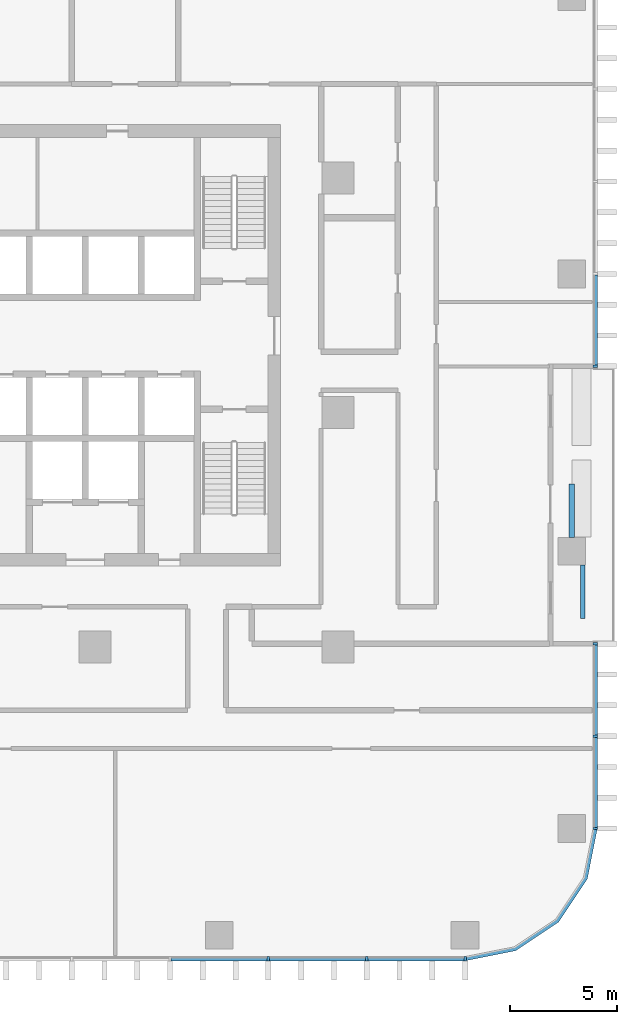
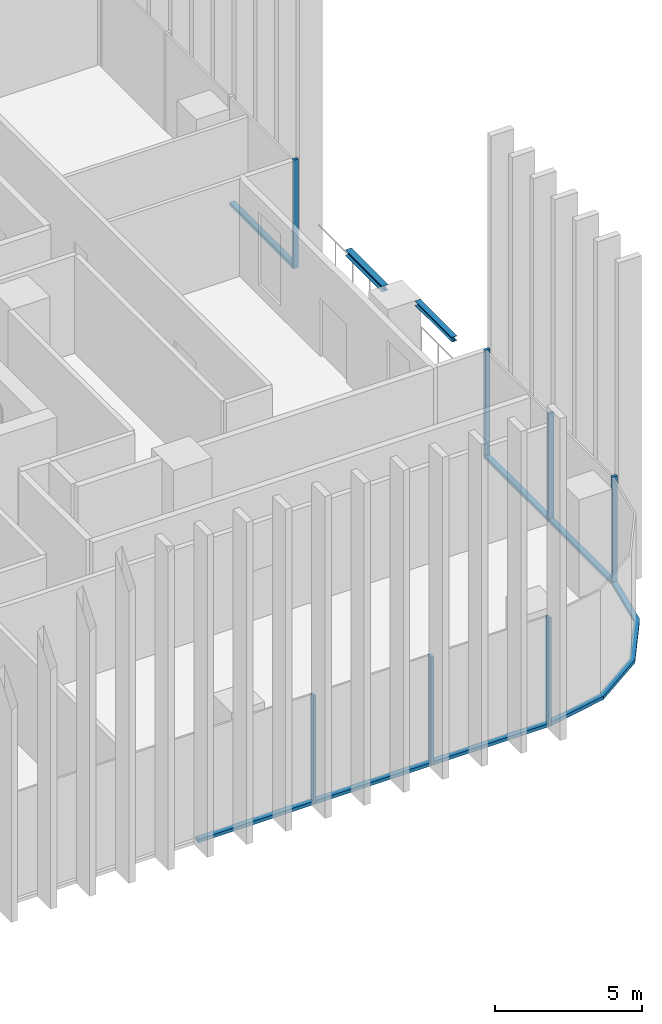
# One storey, part 3 of 17: 14 members, 2 beams, 4 elements without a shape of their own.
"""IFC4 building model written with IfcOpenShell, lengths in metres."""

from ifc_helpers import new_model, si_unit, direction, frame, origin, origin_2d, place, context, subcontext, project, spatial, polyline, rectangle, i_section, outline, extrude, material, material_profile, profile_set, type_object, element, aggregate, save


model = new_model("IFC4")

# Units and contexts
model_context = context("Model", 3, precision=1e-05, world=origin(), true_north=direction((0.0, 1.0)))
body_context = subcontext(model_context, "Body", "Model", "MODEL_VIEW")
ifc_project = project(units=[si_unit("LENGTHUNIT", "METRE"), si_unit("AREAUNIT", "SQUARE_METRE"), si_unit("VOLUMEUNIT", "CUBIC_METRE"), si_unit("PLANEANGLEUNIT", "RADIAN"), si_unit("MASSUNIT", "GRAM", prefix="KILO")], contexts=[model_context])

# Site, building, storey
site_placement = place(None, origin())
site = spatial("IfcSite", under=ifc_project, at=site_placement, CompositionType="ELEMENT")
building_placement = place(site_placement, origin())
building = spatial("IfcBuilding", under=site, at=building_placement, Name="Mopane Tessera Tower", CompositionType="ELEMENT")
storey_placement = place(building_placement, frame((0.0, 0.0, 135.10009765625)))
storey = spatial("IfcBuildingStorey", under=building, at=storey_placement, Name="L27", CompositionType="ELEMENT", Elevation=135.10009765625)

# Curtain wall, members
ifc_material_1 = material(Name="Aluminium frame", Category="aluminium")
curtain_wall_type = type_object("IfcCurtainWallType", Name="Lower tower unitised wall", PredefinedType="NOTDEFINED", material=ifc_material_1)
curtain_wall_1_placement = place(storey_placement, origin())
curtain_wall_1 = element("IfcCurtainWall", 1, at=curtain_wall_1_placement, inside=storey, type_object=curtain_wall_type, Name="e:cw:L27:S:4", PredefinedType="NOTDEFINED")
ifc_material_2 = material(Name="Aluminium frame", Category="aluminium")
ifc_material_profile_1 = material_profile(ifc_material_2, rectangle(XDim=0.110107421875, YDim=0.199951171875, at=origin_2d()))
ifc_profile_set_1 = profile_set([ifc_material_profile_1], Name="Aluminium frame")
member_type_1 = type_object("IfcMemberType", Name="Aluminium mullion 110 x 200", PredefinedType="MULLION", material=ifc_profile_set_1)
member_1_placement = place(storey_placement, frame((13.830078125, -25.60009765625, -0.4501953125), z_axis=(0.0, 0.0, 1.0), x_axis=(1.0, 0.0, 0.0)))
member_1 = element("IfcMember", 2, at=member_1_placement, type_object=member_type_1, Name="e:cw:L27:S:4:mu8", PredefinedType="MULLION", context=body_context, shape_type="SweptSolid", body=[
    extrude(rectangle(XDim=0.110107421875, YDim=0.199951171875, at=origin_2d()), origin(), (0.0, 0.0, 1.0), 4.5),
])
member_2_placement = place(storey_placement, frame((18.43994140625, -25.60009765625, -0.4501953125), z_axis=(0.0, 0.0, 1.0), x_axis=(1.0, 0.0, 0.0)))
member_2 = element("IfcMember", 3, at=member_2_placement, type_object=member_type_1, Name="e:cw:L27:S:4:mu9", PredefinedType="MULLION", context=body_context, shape_type="SweptSolid", body=[
    extrude(rectangle(XDim=0.110107421875, YDim=0.199951171875, at=origin_2d()), origin(), (0.0, 0.0, 1.0), 4.5),
])
member_3_placement = place(storey_placement, frame((23.050048828125, -25.60009765625, -0.4501953125), z_axis=(0.0, 0.0, 1.0), x_axis=(1.0, 0.0, 0.0)))
member_3 = element("IfcMember", 4, at=member_3_placement, type_object=member_type_1, Name="e:cw:L27:S:4:mu10", PredefinedType="MULLION", context=body_context, shape_type="SweptSolid", body=[
    extrude(rectangle(XDim=0.110107421875, YDim=0.199951171875, at=origin_2d()), origin(), (0.0, 0.0, 1.0), 4.5),
])

curtain_wall_2_placement = place(storey_placement, origin())
curtain_wall_2 = element("IfcCurtainWall", 5, at=curtain_wall_2_placement, inside=storey, type_object=curtain_wall_type, Name="e:cw:L27:E:0", PredefinedType="NOTDEFINED")
member_4_placement = place(storey_placement, frame((29.14990234375, -19.5, -0.4501953125), z_axis=(0.0, 0.0, 1.0), x_axis=(0.0, 1.0, 0.0)))
member_4 = element("IfcMember", 6, at=member_4_placement, type_object=member_type_1, Name="e:cw:L27:E:0:mu0", PredefinedType="MULLION", context=body_context, shape_type="SweptSolid", body=[
    extrude(rectangle(XDim=0.110107421875, YDim=0.199951171875, at=origin_2d()), origin(), (0.0, 0.0, 1.0), 4.5),
])
member_5_placement = place(storey_placement, frame((29.14990234375, -15.166748046875, -0.4501953125), z_axis=(0.0, 0.0, 1.0), x_axis=(0.0, 1.0, 0.0)))
member_5 = element("IfcMember", 7, at=member_5_placement, type_object=member_type_1, Name="e:cw:L27:E:0:mu1", PredefinedType="MULLION", context=body_context, shape_type="SweptSolid", body=[
    extrude(rectangle(XDim=0.110107421875, YDim=0.199951171875, at=origin_2d()), origin(), (0.0, 0.0, 1.0), 4.5),
])
member_6_placement = place(storey_placement, frame((29.14990234375, -10.833251953125, -0.4501953125), z_axis=(0.0, 0.0, 1.0), x_axis=(0.0, 1.0, 0.0)))
member_6 = element("IfcMember", 8, at=member_6_placement, type_object=member_type_1, Name="e:cw:L27:E:0:mu2", PredefinedType="MULLION", context=body_context, shape_type="SweptSolid", body=[
    extrude(rectangle(XDim=0.110107421875, YDim=0.199951171875, at=origin_2d()), origin(), (0.0, 0.0, 1.0), 4.5),
])

# Curtain wall, member
curtain_wall_3_placement = place(storey_placement, origin())
curtain_wall_3 = element("IfcCurtainWall", 9, at=curtain_wall_3_placement, inside=storey, type_object=curtain_wall_type, Name="e:cw:L27:E:5", PredefinedType="NOTDEFINED")
member_7_placement = place(storey_placement, frame((29.14990234375, 2.166748046875, -0.4501953125), z_axis=(0.0, 0.0, 1.0), x_axis=(0.0, 1.0, 0.0)))
member_7 = element("IfcMember", 10, at=member_7_placement, type_object=member_type_1, Name="e:cw:L27:E:5:mu5", PredefinedType="MULLION", context=body_context, shape_type="SweptSolid", body=[
    extrude(rectangle(XDim=0.110107421875, YDim=0.199951171875, at=origin_2d()), origin(), (0.0, 0.0, 1.0), 4.5),
])

# Member
ifc_material_3 = material(Name="Aluminium frame", Category="aluminium")
ifc_material_profile_2 = material_profile(ifc_material_3, rectangle(XDim=0.199951171875, YDim=0.139892578125, at=origin_2d()))
ifc_profile_set_2 = profile_set([ifc_material_profile_2], Name="Aluminium frame")
member_type_2 = type_object("IfcMemberType", Name="Aluminium transom 200 x 140", PredefinedType="USERDEFINED", material=ifc_profile_set_2)
member_8_placement = place(storey_placement, frame((9.27490234375, -25.60009765625, -0.380126953125), z_axis=(1.0, 0.0, 0.0), x_axis=(0.0, 1.0, 0.0)))
member_8 = element("IfcMember", 11, at=member_8_placement, type_object=member_type_2, Name="e:cw:L27:S:4:tr7", ObjectType="TRANSOM", PredefinedType="USERDEFINED", context=body_context, shape_type="SweptSolid", body=[
    extrude(rectangle(XDim=0.199951171875, YDim=0.139892578125, at=origin_2d()), origin(), (0.0, 0.0, 1.0), 4.5),
])

member_9_placement = place(storey_placement, frame((13.885009765625, -25.60009765625, -0.380126953125), z_axis=(1.0, 0.0, 0.0), x_axis=(0.0, 1.0, 0.0)))
member_9 = element("IfcMember", 12, at=member_9_placement, type_object=member_type_2, Name="e:cw:L27:S:4:tr8", ObjectType="TRANSOM", PredefinedType="USERDEFINED", context=body_context, shape_type="SweptSolid", body=[
    extrude(rectangle(XDim=0.199951171875, YDim=0.139892578125, at=origin_2d()), origin(), (0.0, 0.0, 1.0), 4.5),
])

member_10_placement = place(storey_placement, frame((18.4951171875, -25.60009765625, -0.380126953125), z_axis=(1.0, 0.0, 0.0), x_axis=(0.0, 1.0, 0.0)))
member_10 = element("IfcMember", 13, at=member_10_placement, type_object=member_type_2, Name="e:cw:L27:S:4:tr9", ObjectType="TRANSOM", PredefinedType="USERDEFINED", context=body_context, shape_type="SweptSolid", body=[
    extrude(rectangle(XDim=0.199951171875, YDim=0.139892578125, at=origin_2d()), origin(), (0.0, 0.0, 1.0), 4.5),
])

aggregate(curtain_wall_1, [member_1, member_2, member_3, member_8, member_9, member_10])

# Curtain wall, member
curtain_wall_4_placement = place(storey_placement, origin())
curtain_wall_4 = element("IfcCurtainWall", 14, at=curtain_wall_4_placement, inside=storey, type_object=curtain_wall_type, Name="e:cw:L27:CS", PredefinedType="NOTDEFINED")
member_11_placement = place(storey_placement, frame((0.0, 0.0, -0.4501953125)))
member_11 = element("IfcMember", 15, at=member_11_placement, type_object=member_type_2, Name="e:cw:L27:CS:tr", ObjectType="TRANSOM", PredefinedType="USERDEFINED", context=body_context, shape_type="SweptSolid", body=[
    extrude(outline(polyline([(23.050048828125, -25.5), (25.34619140625, -25.043212890625), (27.292724609375, -23.74267578125), (28.59326171875, -21.796142578125), (29.050048828125, -19.5), (29.25, -19.5), (28.778076171875, -21.87255859375), (27.43408203125, -23.884033203125), (25.422607421875, -25.22802734375), (23.050048828125, -25.699951171875), (23.050048828125, -25.5)])), origin(), (0.0, 0.0, 1.0), 0.14013671875),
])
aggregate(curtain_wall_4, [member_11])

# Member
member_12_placement = place(storey_placement, frame((29.14990234375, -19.445068359375, -0.380126953125), z_axis=(0.0, 1.0, 0.0), x_axis=(-1.0, 0.0, 0.0)))
member_12 = element("IfcMember", 16, at=member_12_placement, type_object=member_type_2, Name="e:cw:L27:E:0:tr0", ObjectType="TRANSOM", PredefinedType="USERDEFINED", context=body_context, shape_type="SweptSolid", body=[
    extrude(rectangle(XDim=0.199951171875, YDim=0.139892578125, at=origin_2d()), origin(), (0.0, 0.0, 1.0), 4.223388671875),
])

member_13_placement = place(storey_placement, frame((29.14990234375, -15.111572265625, -0.380126953125), z_axis=(0.0, 1.0, 0.0), x_axis=(-1.0, 0.0, 0.0)))
member_13 = element("IfcMember", 17, at=member_13_placement, type_object=member_type_2, Name="e:cw:L27:E:0:tr1", ObjectType="TRANSOM", PredefinedType="USERDEFINED", context=body_context, shape_type="SweptSolid", body=[
    extrude(rectangle(XDim=0.199951171875, YDim=0.139892578125, at=origin_2d()), origin(), (0.0, 0.0, 1.0), 4.22314453125),
])

aggregate(curtain_wall_2, [member_4, member_5, member_6, member_12, member_13])

member_14_placement = place(storey_placement, frame((29.14990234375, 2.2216796875, -0.380126953125), z_axis=(0.0, 1.0, 0.0), x_axis=(-1.0, 0.0, 0.0)))
member_14 = element("IfcMember", 18, at=member_14_placement, type_object=member_type_2, Name="e:cw:L27:E:5:tr5", ObjectType="TRANSOM", PredefinedType="USERDEFINED", context=body_context, shape_type="SweptSolid", body=[
    extrude(rectangle(XDim=0.199951171875, YDim=0.139892578125, at=origin_2d()), origin(), (0.0, 0.0, 1.0), 4.223388671875),
])

aggregate(curtain_wall_3, [member_7, member_14])

# Beams
ifc_material_4 = material(Name="Structural steel S460", Category="steel")
ifc_material_profile_3 = material_profile(ifc_material_4, i_section(OverallWidth=0.239990234375, OverallDepth=0.239990234375, WebThickness=0.010009765625, FlangeThickness=0.01708984375, FilletRadius=0.02099609375, at=origin_2d()))
ifc_profile_set_3 = profile_set([ifc_material_profile_3], Name="Structural steel S460")
beam_type_1 = type_object("IfcBeamType", Name="Terrace spandrel beam HE 240 B", PredefinedType="SPANDREL", material=ifc_profile_set_3)
beam_1_placement = place(storey_placement, frame((28.050048828125, -5.846923828125, 3.929931640625), z_axis=(0.0, 1.0, 0.0), x_axis=(-1.0, 0.0, 0.0)))
element("IfcBeam", 19, at=beam_1_placement, inside=storey, type_object=beam_type_1, Name="Terrace spandrel beam N3 L28", PredefinedType="SPANDREL", context=body_context, shape_type="SweptSolid", body=[
    extrude(i_section(OverallWidth=0.239990234375, OverallDepth=0.239990234375, WebThickness=0.010009765625, FlangeThickness=0.01708984375, FilletRadius=0.02099609375, at=origin_2d()), origin(), (0.0, 0.0, 1.0), 2.5),
])
ifc_material_5 = material(Name="Structural steel S460", Category="steel")
ifc_material_profile_4 = material_profile(ifc_material_5, i_section(OverallWidth=0.199951171875, OverallDepth=0.199951171875, WebThickness=0.009033203125, FlangeThickness=0.014892578125, FilletRadius=0.01806640625, at=origin_2d()))
ifc_profile_set_4 = profile_set([ifc_material_profile_4], Name="Structural steel S460")
beam_type_2 = type_object("IfcBeamType", Name="Terrace trimmer beam HE 200 B", PredefinedType="BEAM", material=ifc_profile_set_4)
beam_2_placement = place(storey_placement, frame((28.570068359375, -7.153076171875, 3.949951171875), z_axis=(0.0, -1.0, 0.0), x_axis=(1.0, 0.0, 0.0)))
element("IfcBeam", 20, at=beam_2_placement, inside=storey, type_object=beam_type_2, Name="Terrace trimmer beam N3 L28", PredefinedType="BEAM", context=body_context, shape_type="SweptSolid", body=[
    extrude(i_section(OverallWidth=0.199951171875, OverallDepth=0.199951171875, WebThickness=0.009033203125, FlangeThickness=0.014892578125, FilletRadius=0.01806640625, at=origin_2d()), origin(), (0.0, 0.0, 1.0), 2.5),
])

save(model, "model.ifc")
